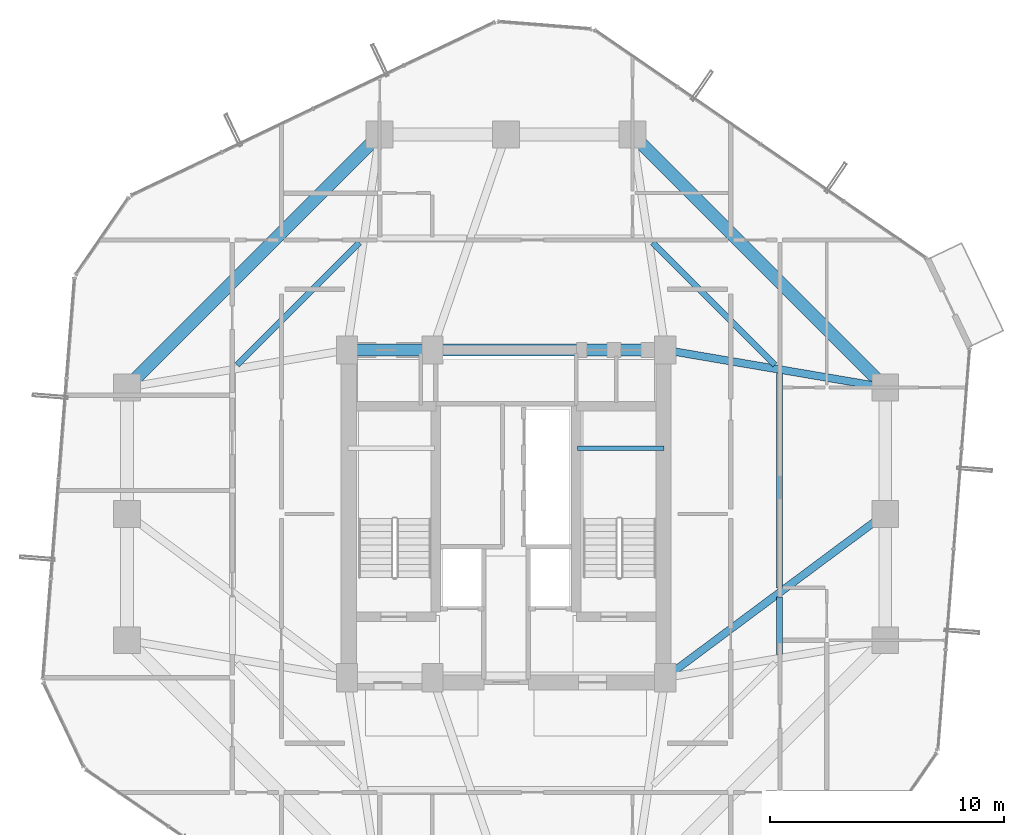
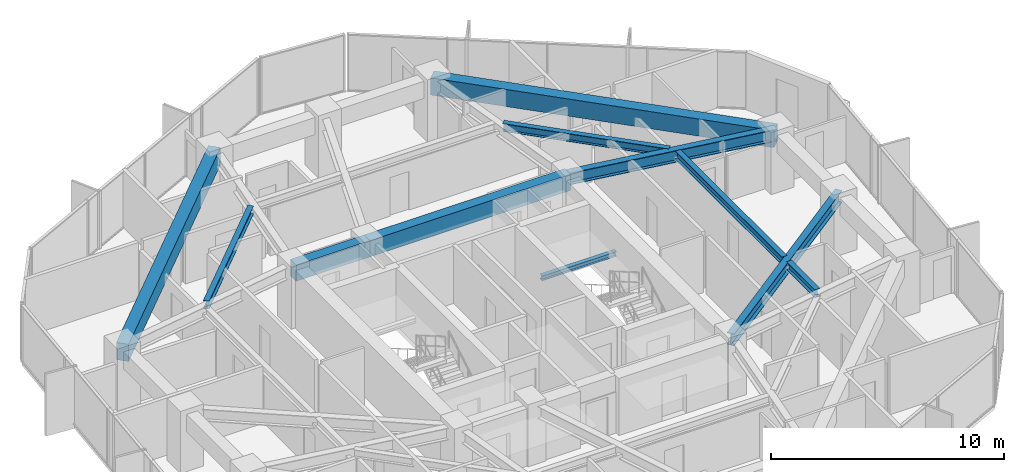
# One storey, part 11 of 30: 11 beams.
"""IFC4 building model written with IfcOpenShell, lengths in metres."""

from ifc_helpers import new_model, si_unit, direction, frame, origin, origin_2d, place, context, subcontext, project, spatial, rectangle, i_section, extrude, material, material_profile, profile_set, type_object, element, save


model = new_model("IFC4")

# Units and contexts
model_context = context("Model", 3, precision=1e-05, world=origin(), true_north=direction((0.0, 1.0)))
body_context = subcontext(model_context, "Body", "Model", "MODEL_VIEW")
ifc_project = project(units=[si_unit("LENGTHUNIT", "METRE"), si_unit("AREAUNIT", "SQUARE_METRE"), si_unit("VOLUMEUNIT", "CUBIC_METRE"), si_unit("PLANEANGLEUNIT", "RADIAN"), si_unit("MASSUNIT", "GRAM", prefix="KILO")], contexts=[model_context])

# Site, building, storey
site_placement = place(None, origin())
site = spatial("IfcSite", under=ifc_project, at=site_placement, CompositionType="ELEMENT")
building_placement = place(site_placement, origin())
building = spatial("IfcBuilding", under=site, at=building_placement, Name="Veraguas Prism Commons", CompositionType="ELEMENT")
storey_placement = place(building_placement, frame((0.0, 0.0, 113.25)))
storey = spatial("IfcBuildingStorey", under=building, at=storey_placement, Name="L31", CompositionType="ELEMENT", Elevation=113.25)

# Beams
ifc_material_1 = material(Name="Concrete C50/60", Category="concrete")
ifc_material_profile_1 = material_profile(ifc_material_1, rectangle(XDim=0.5, YDim=0.85009765625, at=origin_2d()), Name="RC500X850")
ifc_profile_set_1 = profile_set([ifc_material_profile_1], Name="Concrete C50/60")
beam_type_1 = type_object("IfcBeamType", Name="Core Coupling Beam RC 500x850", PredefinedType="BEAM", material=ifc_profile_set_1)
beam_1_placement = place(storey_placement, frame((17.199951171875, 31.0, 2.574951171875), z_axis=(1.0, 0.0, 0.0), x_axis=(0.0, 1.0, 0.0)))
element("IfcBeam", 1, at=beam_1_placement, inside=storey, type_object=beam_type_1, Name="Core Coupling Beam L31-CRN1", PredefinedType="BEAM", context=body_context, shape_type="SweptSolid", body=[
    extrude(rectangle(XDim=0.5, YDim=0.85009765625, at=origin_2d()), origin(), (0.0, 0.0, 1.0), 3.650146484375),
])
beam_2_placement = place(storey_placement, frame((20.85009765625, 31.0, 2.574951171875), z_axis=(1.0, 0.0, 0.0), x_axis=(0.0, 1.0, 0.0)))
element("IfcBeam", 2, at=beam_2_placement, inside=storey, type_object=beam_type_1, Name="Core Coupling Beam L31-CRN2", PredefinedType="BEAM", context=body_context, shape_type="SweptSolid", body=[
    extrude(rectangle(XDim=0.5, YDim=0.85009765625, at=origin_2d()), origin(), (0.0, 0.0, 1.0), 9.949951171875),
])
ifc_material_2 = material(Name="Steel ASTM A992 Grade 50", Category="steel")
ifc_material_profile_2 = material_profile(ifc_material_2, i_section(OverallWidth=0.260986328125, OverallDepth=0.419921875, WebThickness=0.01171875, FlangeThickness=0.019287109375, at=origin_2d()), Name="W410X114")
ifc_profile_set_2 = profile_set([ifc_material_profile_2], Name="Steel ASTM A992 Grade 50")
beam_type_2 = type_object("IfcBeamType", Name="Lower Floor Joist W410x114", PredefinedType="JOIST", material=ifc_profile_set_2)
beam_3_placement = place(storey_placement, frame((35.68798828125, 17.996337890625, 2.7900390625), z_axis=(0.0, 1.0, 0.0), x_axis=(-1.0, 0.0, 0.0)))
element("IfcBeam", 3, at=beam_3_placement, inside=storey, type_object=beam_type_2, Name="Composite Floor Joist L31-JS01", PredefinedType="JOIST", context=body_context, shape_type="SweptSolid", body=[
    extrude(i_section(OverallWidth=0.260986328125, OverallDepth=0.419921875, WebThickness=0.01171875, FlangeThickness=0.019287109375, at=origin_2d()), origin(), (0.0, 0.0, 1.0), 2.441650390625),
])
beam_4_placement = place(storey_placement, frame((35.68798828125, 20.842041015625, 2.7900390625), z_axis=(0.0, 1.0, 0.0), x_axis=(-1.0, 0.0, 0.0)))
element("IfcBeam", 4, at=beam_4_placement, inside=storey, type_object=beam_type_2, Name="Composite Floor Joist L31-JS02", PredefinedType="JOIST", context=body_context, shape_type="SweptSolid", body=[
    extrude(i_section(OverallWidth=0.260986328125, OverallDepth=0.419921875, WebThickness=0.01171875, FlangeThickness=0.019287109375, at=origin_2d()), origin(), (0.0, 0.0, 1.0), 9.16162109375),
])
for number, where, z_axis, x_axis, name in (
    (5, (35.489990234375, 30.365966796875, 2.7900390625), (-0.707090260193, 0.707123301794, 0.0), (-0.707123301794, -0.707090260193, 0.0), "Composite Floor Joist L31-JS03"),
    (6, (17.734619140625, 35.5908203125, 2.7900390625), (-0.707090260193, -0.707123301794, 0.0), (0.707123301794, -0.707090260193, 0.0), "Composite Floor Joist L31-JS06"),
):
    element("IfcBeam", number, at=place(storey_placement, frame(where, z_axis=z_axis, x_axis=x_axis)), inside=storey, type_object=beam_type_2, Name=name, PredefinedType="JOIST", context=body_context, shape_type="SweptSolid", body=[
        extrude(i_section(OverallWidth=0.260986328125, OverallDepth=0.419921875, WebThickness=0.01171875, FlangeThickness=0.019287109375, at=origin_2d()), origin(), (0.0, 0.0, 1.0), 7.388916015625),
    ])
ifc_material_profile_3 = material_profile(ifc_material_1, rectangle(XDim=0.550048828125, YDim=0.89990234375, at=origin_2d()), Name="RC550X900")
ifc_profile_set_3 = profile_set([ifc_material_profile_3], Name="Concrete C50/60")
beam_type_3 = type_object("IfcBeamType", Name="Perimeter Spandrel Lower RC 550x900", PredefinedType="SPANDREL", material=ifc_profile_set_3)
for number, where, z_axis, x_axis, name in (
    (7, (40.199951171875, 29.39990234375, 2.550048828125), (-0.707106781187, 0.707106781187, 0.0), (-0.707106781187, -0.707106781187, 0.0), "Perimeter Spandrel Beam L31-SP03"),
    (8, (18.60009765625, 40.199951171875, 2.550048828125), (-0.707106781187, -0.707106781187, 0.0), (0.707106781187, -0.707106781187, 0.0), "Perimeter Spandrel Beam L31-SP06"),
):
    element("IfcBeam", number, at=place(storey_placement, frame(where, z_axis=z_axis, x_axis=x_axis)), inside=storey, type_object=beam_type_3, Name=name, PredefinedType="SPANDREL", context=body_context, shape_type="SweptSolid", body=[
        extrude(rectangle(XDim=0.550048828125, YDim=0.89990234375, at=origin_2d()), origin(), (0.0, 0.0, 1.0), 15.273681640625),
    ])
ifc_material_profile_4 = material_profile(ifc_material_2, i_section(OverallWidth=0.202880859375, OverallDepth=0.251953125, WebThickness=0.008056640625, FlangeThickness=0.013427734375, at=origin_2d()), Name="W250X58")
ifc_profile_set_4 = profile_set([ifc_material_profile_4], Name="Steel ASTM A992 Grade 50")
beam_type_4 = type_object("IfcBeamType", Name="Structural Opening Lintel W250x58", PredefinedType="LINTEL", material=ifc_profile_set_4)
beam_5_placement = place(storey_placement, frame((27.050048828125, 26.800048828125, 1.299072265625), z_axis=(1.0, 0.0, 0.0), x_axis=(0.0, 1.0, 0.0)))
element("IfcBeam", 9, at=beam_5_placement, inside=storey, type_object=beam_type_4, Name="Stair ST-02 Half-Landing Support Beam L31-1", PredefinedType="LINTEL", context=body_context, shape_type="SweptSolid", body=[
    extrude(i_section(OverallWidth=0.202880859375, OverallDepth=0.251953125, WebThickness=0.008056640625, FlangeThickness=0.013427734375, at=origin_2d()), origin(), (0.0, 0.0, 1.0), 3.699951171875),
])
ifc_material_profile_5 = material_profile(ifc_material_2, i_section(OverallWidth=0.327880859375, OverallDepth=0.6220703125, WebThickness=0.015380859375, FlangeThickness=0.0244140625, at=origin_2d()), Name="W610X195")
ifc_profile_set_5 = profile_set([ifc_material_profile_5], Name="Steel ASTM A992 Grade 50")
beam_type_5 = type_object("IfcBeamType", Name="Zone 2 Radial Girder W610x195", PredefinedType="BEAM", material=ifc_profile_set_5)
beam_6_placement = place(storey_placement, frame((40.199951171875, 24.0, 2.68896484375), z_axis=(-0.802040137921, -0.597270137512, 0.0), x_axis=(0.597270137512, -0.802040137921, 0.0)))
element("IfcBeam", 10, at=beam_6_placement, inside=storey, type_object=beam_type_5, Name="Radial Floor Girder L31-RD02", PredefinedType="BEAM", context=body_context, shape_type="SweptSolid", body=[
    extrude(i_section(OverallWidth=0.327880859375, OverallDepth=0.6220703125, WebThickness=0.015380859375, FlangeThickness=0.0244140625, at=origin_2d()), origin(), (0.0, 0.0, 1.0), 11.719970703125),
])
beam_7_placement = place(storey_placement, frame((40.199951171875, 29.39990234375, 2.68896484375), z_axis=(-0.985819187151, 0.1678109956, 0.0), x_axis=(-0.1678109956, -0.985819187151, 0.0)))
element("IfcBeam", 11, at=beam_7_placement, inside=storey, type_object=beam_type_5, Name="Radial Floor Girder L31-RD03", PredefinedType="BEAM", context=body_context, shape_type="SweptSolid", body=[
    extrude(i_section(OverallWidth=0.327880859375, OverallDepth=0.6220703125, WebThickness=0.015380859375, FlangeThickness=0.0244140625, at=origin_2d()), origin(), (0.0, 0.0, 1.0), 9.53515625),
])

save(model, "model.ifc")
